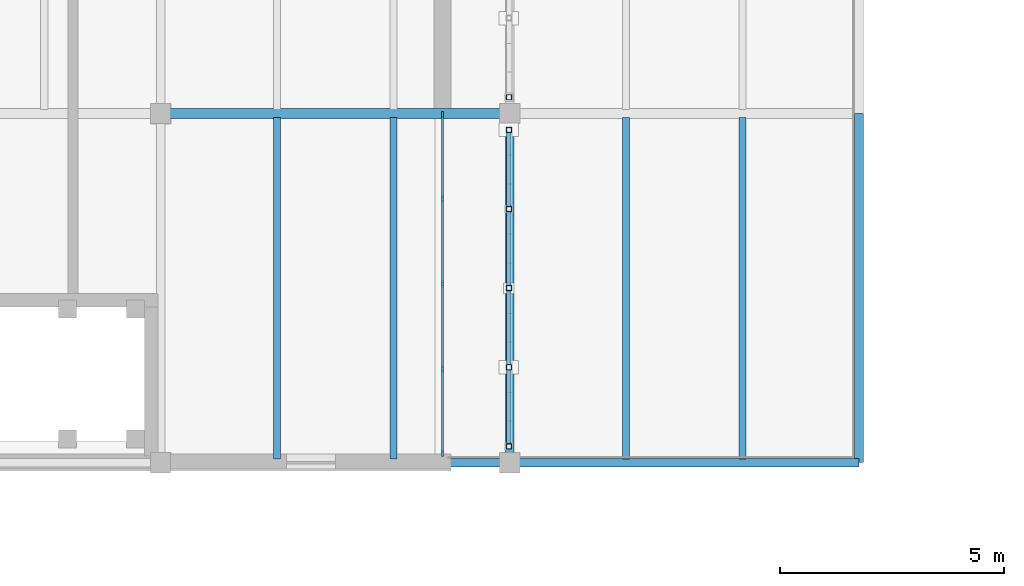
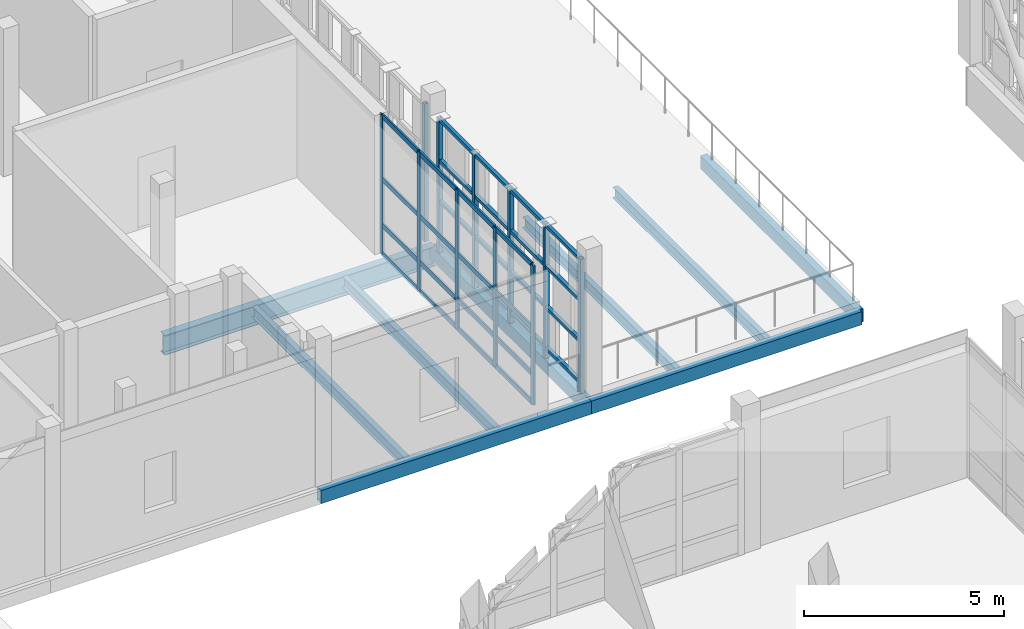
# One storey, part 30 of 119: 43 members, 9 beams, 1 element without a shape of its own.
"""IFC4 building model written with IfcOpenShell, lengths in metres."""

from ifc_helpers import new_model, si_unit, direction, frame, origin, origin_2d, place, context, subcontext, project, spatial, rectangle, hollow_rectangle, i_section, extrude, material, layer, layer_set, material_profile, profile_set, type_object, element, aggregate, save


model = new_model("IFC4")

# Units and contexts
model_context = context("Model", 3, precision=1e-05, world=origin(), true_north=direction((0.0, 1.0)))
body_context = subcontext(model_context, "Body", "Model", "MODEL_VIEW")
ifc_project = project(units=[si_unit("LENGTHUNIT", "METRE"), si_unit("AREAUNIT", "SQUARE_METRE"), si_unit("VOLUMEUNIT", "CUBIC_METRE"), si_unit("PLANEANGLEUNIT", "RADIAN"), si_unit("MASSUNIT", "GRAM", prefix="KILO")], contexts=[model_context])

# Site, building, storey
site_placement = place(None, origin())
site = spatial("IfcSite", under=ifc_project, at=site_placement, CompositionType="ELEMENT")
building_placement = place(site_placement, origin())
building = spatial("IfcBuilding", under=site, at=building_placement, Name="Celorna Specialist Clinic", CompositionType="ELEMENT")
storey_placement = place(building_placement, frame((0.0, 0.0, 9.60009765625)))
storey = spatial("IfcBuildingStorey", under=building, at=storey_placement, Name="L02", CompositionType="ELEMENT", Elevation=9.60009765625)

# Beams
ifc_material_1 = material(Name="Steel S355", Category="steel")
ifc_material_profile_1 = material_profile(ifc_material_1, i_section(OverallWidth=0.219970703125, OverallDepth=0.60009765625, WebThickness=0.011962890625, FlangeThickness=0.01904296875, at=origin_2d()), Name="IPE 600")
ifc_profile_set_1 = profile_set([ifc_material_profile_1], Name="Steel S355")
beam_type_1 = type_object("IfcBeamType", Name="BM-06", PredefinedType="BEAM", material=ifc_profile_set_1)
beam_1_placement = place(storey_placement, frame((31.199951171875, 42.89990234375, -0.56005859375), z_axis=(1.0, 0.0, 0.0), x_axis=(0.0, 1.0, 0.0)))
element("IfcBeam", 1, at=beam_1_placement, inside=storey, type_object=beam_type_1, Name="Primary girder BM-06 #463", PredefinedType="BEAM", context=body_context, shape_type="SweptSolid", body=[
    extrude(i_section(OverallWidth=0.219970703125, OverallDepth=0.60009765625, WebThickness=0.011962890625, FlangeThickness=0.01904296875, at=origin_2d()), origin(), (0.0, 0.0, 1.0), 7.800048828125),
])
ifc_material_profile_2 = material_profile(ifc_material_1, i_section(OverallWidth=0.159912109375, OverallDepth=0.330078125, WebThickness=0.007568359375, FlangeThickness=0.011474609375, at=origin_2d()), Name="IPE 330")
ifc_profile_set_2 = profile_set([ifc_material_profile_2], Name="Steel S355")
beam_type_2 = type_object("IfcBeamType", Name="BM-12", PredefinedType="JOIST", material=ifc_profile_set_2)
for number, where, z_axis, x_axis, name in (
    (2, (33.800048828125, 35.18798828125, -0.425048828125), (0.0, 1.0, 0.0), (-1.0, 0.0, 0.0), "Secondary floor joist BM-12 #526"),
    (3, (36.39990234375, 35.18798828125, -0.425048828125), (0.0, 1.0, 0.0), (-1.0, 0.0, 0.0), "Secondary floor joist BM-12 #527"),
    (4, (41.60009765625, 35.18798828125, -0.425048828125), (0.0, 1.0, 0.0), (-1.0, 0.0, 0.0), "Secondary floor joist BM-12 #2226"),
    (5, (44.199951171875, 35.18798828125, -0.425048828125), (0.0, 1.0, 0.0), (-1.0, 0.0, 0.0), "Secondary floor joist BM-12 #2227"),
):
    element("IfcBeam", number, at=place(storey_placement, frame(where, z_axis=z_axis, x_axis=x_axis)), inside=storey, type_object=beam_type_2, Name=name, PredefinedType="JOIST", context=body_context, shape_type="SweptSolid", body=[
        extrude(i_section(OverallWidth=0.159912109375, OverallDepth=0.330078125, WebThickness=0.007568359375, FlangeThickness=0.011474609375, at=origin_2d()), origin(), (0.0, 0.0, 1.0), 7.6240234375),
    ])
ifc_material_profile_3 = material_profile(ifc_material_1, hollow_rectangle(XDim=0.199951171875, YDim=0.39990234375, WallThickness=0.011962890625, at=origin_2d()), Name="RHS 200x400x12")
ifc_profile_set_3 = profile_set([ifc_material_profile_3], Name="Steel S355")
beam_type_3 = type_object("IfcBeamType", Name="BM-15", PredefinedType="SPANDREL", material=ifc_profile_set_3)
beam_2_placement = place(storey_placement, frame((31.199951171875, 35.10009765625, -0.460205078125), z_axis=(1.0, 0.0, 0.0), x_axis=(0.0, 1.0, 0.0)))
element("IfcBeam", 6, at=beam_2_placement, inside=storey, type_object=beam_type_3, Name="Spandrel beam BM-15 #458", PredefinedType="SPANDREL", context=body_context, shape_type="SweptSolid", body=[
    extrude(hollow_rectangle(XDim=0.199951171875, YDim=0.39990234375, WallThickness=0.011962890625, at=origin_2d()), origin(), (0.0, 0.0, 1.0), 7.800048828125),
])
beam_3_placement = place(storey_placement, frame((39.0, 35.10009765625, -0.460205078125), z_axis=(0.0, 1.0, 0.0), x_axis=(-1.0, 0.0, 0.0)))
element("IfcBeam", 7, at=beam_3_placement, inside=storey, type_object=beam_type_3, Name="Spandrel beam BM-15 #498", PredefinedType="SPANDREL", context=body_context, shape_type="SweptSolid", body=[
    extrude(hollow_rectangle(XDim=0.199951171875, YDim=0.39990234375, WallThickness=0.011962890625, at=origin_2d()), origin(), (0.0, 0.0, 1.0), 7.7998046875),
])
beam_4_placement = place(storey_placement, frame((39.0, 35.10009765625, -0.460205078125), z_axis=(1.0, 0.0, 0.0), x_axis=(0.0, 1.0, 0.0)))
element("IfcBeam", 8, at=beam_4_placement, inside=storey, type_object=beam_type_3, Name="Spandrel beam BM-15 #2217", PredefinedType="SPANDREL", context=body_context, shape_type="SweptSolid", body=[
    extrude(hollow_rectangle(XDim=0.199951171875, YDim=0.39990234375, WallThickness=0.011962890625, at=origin_2d()), origin(), (0.0, 0.0, 1.0), 7.800048828125),
])
beam_5_placement = place(storey_placement, frame((46.800048828125, 35.10009765625, -0.460205078125), z_axis=(0.0, 1.0, 0.0), x_axis=(-1.0, 0.0, 0.0)))
element("IfcBeam", 9, at=beam_5_placement, inside=storey, type_object=beam_type_3, Name="Spandrel beam BM-15 #2222", PredefinedType="SPANDREL", context=body_context, shape_type="SweptSolid", body=[
    extrude(hollow_rectangle(XDim=0.199951171875, YDim=0.39990234375, WallThickness=0.011962890625, at=origin_2d()), origin(), (0.0, 0.0, 1.0), 7.7998046875),
])

# Members
ifc_material_profile_4 = material_profile(ifc_material_1, hollow_rectangle(XDim=0.1201171875, YDim=0.1201171875, WallThickness=0.008056640625, at=origin_2d()), Name="SHS 120x120x8")
ifc_profile_set_4 = profile_set([ifc_material_profile_4], Name="Steel S355")
member_type_1 = type_object("IfcMemberType", Name="MB-11", PredefinedType="STUD", material=ifc_profile_set_4)
for number, where, z_axis, x_axis, name in (
    (10, (38.97998046875, 35.465087890625, -0.360107421875), (0.0, 0.0, 1.0), (1.0, 0.0, 0.0), "Perforated screen steel post #1539"),
    (11, (38.97998046875, 37.232421875, -0.360107421875), (0.0, 0.0, 1.0), (1.0, 0.0, 0.0), "Perforated screen steel post #1540"),
    (12, (38.97998046875, 39.0, -0.360107421875), (0.0, 0.0, 1.0), (1.0, 0.0, 0.0), "Perforated screen steel post #1541"),
    (13, (38.97998046875, 40.767578125, -0.360107421875), (0.0, 0.0, 1.0), (1.0, 0.0, 0.0), "Perforated screen steel post #1542"),
    (14, (38.97998046875, 42.534912109375, -0.360107421875), (0.0, 0.0, 1.0), (1.0, 0.0, 0.0), "Perforated screen steel post #1543"),
    (15, (38.97998046875, 43.264892578125, -0.360107421875), (0.0, 0.0, 1.0), (1.0, 0.0, 0.0), "Perforated screen steel post #1560"),
):
    element("IfcMember", number, at=place(storey_placement, frame(where, z_axis=z_axis, x_axis=x_axis)), inside=storey, type_object=member_type_1, Name=name, PredefinedType="STUD", context=body_context, shape_type="SweptSolid", body=[
        extrude(hollow_rectangle(XDim=0.1201171875, YDim=0.1201171875, WallThickness=0.008056640625, at=origin_2d()), origin(), (0.0, 0.0, 1.0), 4.199951171875),
    ])
ifc_material_profile_5 = material_profile(ifc_material_1, hollow_rectangle(XDim=0.10009765625, YDim=0.10009765625, WallThickness=0.006103515625, at=origin_2d()), Name="SHS 100x100x6")
ifc_profile_set_5 = profile_set([ifc_material_profile_5], Name="Steel S355")
member_type_2 = type_object("IfcMemberType", Name="MB-12", PredefinedType="STUD", material=ifc_profile_set_5)
for number, where, z_axis, x_axis, name in (
    (16, (38.97998046875, 35.52490234375, 0.0498046875), (0.0, 1.0, 0.0), (-1.0, 0.0, 0.0), "Perforated screen rail #1544"),
    (17, (38.97998046875, 35.52490234375, 1.296630859375), (0.0, 1.0, 0.0), (-1.0, 0.0, 0.0), "Perforated screen rail #1545"),
    (18, (38.97998046875, 35.52490234375, 2.543212890625), (0.0, 1.0, 0.0), (-1.0, 0.0, 0.0), "Perforated screen rail #1546"),
    (19, (38.97998046875, 35.52490234375, 3.789794921875), (0.0, 1.0, 0.0), (-1.0, 0.0, 0.0), "Perforated screen rail #1547"),
):
    element("IfcMember", number, at=place(storey_placement, frame(where, z_axis=z_axis, x_axis=x_axis)), inside=storey, type_object=member_type_2, Name=name, PredefinedType="STUD", context=body_context, shape_type="SweptSolid", body=[
        extrude(hollow_rectangle(XDim=0.10009765625, YDim=0.10009765625, WallThickness=0.006103515625, at=origin_2d()), origin(), (0.0, 0.0, 1.0), 1.647705078125),
    ])
for number, where, z_axis, x_axis, name in (
    (20, (38.97998046875, 37.29248046875, 0.0498046875), (0.0, 1.0, 0.0), (-1.0, 0.0, 0.0), "Perforated screen rail #1548"),
    (21, (38.97998046875, 37.29248046875, 1.296630859375), (0.0, 1.0, 0.0), (-1.0, 0.0, 0.0), "Perforated screen rail #1549"),
    (22, (38.97998046875, 37.29248046875, 2.543212890625), (0.0, 1.0, 0.0), (-1.0, 0.0, 0.0), "Perforated screen rail #1550"),
    (23, (38.97998046875, 37.29248046875, 3.789794921875), (0.0, 1.0, 0.0), (-1.0, 0.0, 0.0), "Perforated screen rail #1551"),
    (24, (38.97998046875, 39.06005859375, 0.0498046875), (0.0, 1.0, 0.0), (-1.0, 0.0, 0.0), "Perforated screen rail #1552"),
    (25, (38.97998046875, 39.06005859375, 1.296630859375), (0.0, 1.0, 0.0), (-1.0, 0.0, 0.0), "Perforated screen rail #1553"),
    (26, (38.97998046875, 39.06005859375, 2.543212890625), (0.0, 1.0, 0.0), (-1.0, 0.0, 0.0), "Perforated screen rail #1554"),
    (27, (38.97998046875, 39.06005859375, 3.789794921875), (0.0, 1.0, 0.0), (-1.0, 0.0, 0.0), "Perforated screen rail #1555"),
):
    element("IfcMember", number, at=place(storey_placement, frame(where, z_axis=z_axis, x_axis=x_axis)), inside=storey, type_object=member_type_2, Name=name, PredefinedType="STUD", context=body_context, shape_type="SweptSolid", body=[
        extrude(hollow_rectangle(XDim=0.10009765625, YDim=0.10009765625, WallThickness=0.006103515625, at=origin_2d()), origin(), (0.0, 0.0, 1.0), 1.6474609375),
    ])
for number, where, z_axis, x_axis, name in (
    (28, (38.97998046875, 40.827392578125, 0.0498046875), (0.0, 1.0, 0.0), (-1.0, 0.0, 0.0), "Perforated screen rail #1556"),
    (29, (38.97998046875, 40.827392578125, 1.296630859375), (0.0, 1.0, 0.0), (-1.0, 0.0, 0.0), "Perforated screen rail #1557"),
    (30, (38.97998046875, 40.827392578125, 2.543212890625), (0.0, 1.0, 0.0), (-1.0, 0.0, 0.0), "Perforated screen rail #1558"),
    (31, (38.97998046875, 40.827392578125, 3.789794921875), (0.0, 1.0, 0.0), (-1.0, 0.0, 0.0), "Perforated screen rail #1559"),
):
    element("IfcMember", number, at=place(storey_placement, frame(where, z_axis=z_axis, x_axis=x_axis)), inside=storey, type_object=member_type_2, Name=name, PredefinedType="STUD", context=body_context, shape_type="SweptSolid", body=[
        extrude(hollow_rectangle(XDim=0.10009765625, YDim=0.10009765625, WallThickness=0.006103515625, at=origin_2d()), origin(), (0.0, 0.0, 1.0), 1.647705078125),
    ])

# Curtain wall, members
ifc_material_2 = material(Name="Thermally broken aluminium and solar-control glass curtain wall", Category="aluminium")
ifc_layer = layer(ifc_material_2, 0.159912109375, Name="Thermally broken aluminium and solar-control glass curtain wall")
ifc_layer_set = layer_set([ifc_layer], Name="Thermally broken aluminium and solar-control glass curtain wall")
curtain_wall_type = type_object("IfcCurtainWallType", Name="CW-31", PredefinedType="NOTDEFINED", material=ifc_layer_set)
curtain_wall_placement = place(storey_placement, origin())
curtain_wall = element("IfcCurtainWall", 32, at=curtain_wall_placement, inside=storey, type_object=curtain_wall_type, Name="Curtain wall CW-31 #61", PredefinedType="NOTDEFINED")
ifc_material_3 = material(Name="Anodized aluminium mullion", Category="aluminium")
ifc_material_profile_6 = material_profile(ifc_material_3, rectangle(XDim=0.050048828125, YDim=0.159912109375, at=origin_2d()), Name="ALU MULLION 50x160")
ifc_profile_set_6 = profile_set([ifc_material_profile_6], Name="Anodized aluminium mullion")
member_type_3 = type_object("IfcMemberType", Name="ML-01", PredefinedType="MULLION", material=ifc_profile_set_6)
member_1_placement = place(storey_placement, frame((37.5, 42.87109375, 0.0), z_axis=(0.0, 0.0, 1.0), x_axis=(1.0, 0.0, 0.0)))
member_1 = element("IfcMember", 33, at=member_1_placement, type_object=member_type_3, Name="CW-31 mullion 1", PredefinedType="MULLION", context=body_context, shape_type="SweptSolid", body=[
    extrude(rectangle(XDim=0.050048828125, YDim=0.159912109375, at=origin_2d()), origin(), (0.0, 0.0, 1.0), 4.239990234375),
])
member_2_placement = place(storey_placement, frame((37.5, 40.99560546875, 0.0), z_axis=(0.0, 0.0, 1.0), x_axis=(1.0, 0.0, 0.0)))
member_2 = element("IfcMember", 34, at=member_2_placement, type_object=member_type_3, Name="CW-31 mullion 2", PredefinedType="MULLION", context=body_context, shape_type="SweptSolid", body=[
    extrude(rectangle(XDim=0.050048828125, YDim=0.159912109375, at=origin_2d()), origin(), (0.0, 0.0, 1.0), 4.239990234375),
])
member_3_placement = place(storey_placement, frame((37.5, 39.094970703125, 0.0), z_axis=(0.0, 0.0, 1.0), x_axis=(1.0, 0.0, 0.0)))
member_3 = element("IfcMember", 35, at=member_3_placement, type_object=member_type_3, Name="CW-31 mullion 3", PredefinedType="MULLION", context=body_context, shape_type="SweptSolid", body=[
    extrude(rectangle(XDim=0.050048828125, YDim=0.159912109375, at=origin_2d()), origin(), (0.0, 0.0, 1.0), 4.239990234375),
])
member_4_placement = place(storey_placement, frame((37.5, 37.194580078125, 0.0), z_axis=(0.0, 0.0, 1.0), x_axis=(1.0, 0.0, 0.0)))
member_4 = element("IfcMember", 36, at=member_4_placement, type_object=member_type_3, Name="CW-31 mullion 4", PredefinedType="MULLION", context=body_context, shape_type="SweptSolid", body=[
    extrude(rectangle(XDim=0.050048828125, YDim=0.159912109375, at=origin_2d()), origin(), (0.0, 0.0, 1.0), 4.239990234375),
])
member_5_placement = place(storey_placement, frame((37.5, 35.319091796875, 0.0), z_axis=(0.0, 0.0, 1.0), x_axis=(1.0, 0.0, 0.0)))
member_5 = element("IfcMember", 37, at=member_5_placement, type_object=member_type_3, Name="CW-31 mullion 5", PredefinedType="MULLION", context=body_context, shape_type="SweptSolid", body=[
    extrude(rectangle(XDim=0.050048828125, YDim=0.159912109375, at=origin_2d()), origin(), (0.0, 0.0, 1.0), 4.239990234375),
])
ifc_material_4 = material(Name="Anodized aluminium transom", Category="aluminium")
ifc_material_profile_7 = material_profile(ifc_material_4, rectangle(XDim=0.050048828125, YDim=0.14990234375, at=origin_2d()), Name="ALU TRANSOM 50x150")
ifc_profile_set_7 = profile_set([ifc_material_profile_7], Name="Anodized aluminium transom")
member_type_4 = type_object("IfcMemberType", Name="TR-02", PredefinedType="USERDEFINED", material=ifc_profile_set_7)
member_6_placement = place(storey_placement, frame((37.5, 42.845947265625, 0.02490234375), z_axis=(0.0, -1.0, 0.0), x_axis=(1.0, 0.0, 0.0)))
member_6 = element("IfcMember", 38, at=member_6_placement, type_object=member_type_4, Name="CW-31 transom 1.1", ObjectType="TRANSOM", PredefinedType="USERDEFINED", context=body_context, shape_type="SweptSolid", body=[
    extrude(rectangle(XDim=0.050048828125, YDim=0.14990234375, at=origin_2d()), origin(), (0.0, 0.0, 1.0), 1.825439453125),
])
member_7_placement = place(storey_placement, frame((37.5, 42.845947265625, 0.89990234375), z_axis=(0.0, -1.0, 0.0), x_axis=(1.0, 0.0, 0.0)))
member_7 = element("IfcMember", 39, at=member_7_placement, type_object=member_type_4, Name="CW-31 transom 1.2", ObjectType="TRANSOM", PredefinedType="USERDEFINED", context=body_context, shape_type="SweptSolid", body=[
    extrude(rectangle(XDim=0.050048828125, YDim=0.14990234375, at=origin_2d()), origin(), (0.0, 0.0, 1.0), 1.825439453125),
])
member_8_placement = place(storey_placement, frame((37.5, 42.845947265625, 2.2998046875), z_axis=(0.0, -1.0, 0.0), x_axis=(1.0, 0.0, 0.0)))
member_8 = element("IfcMember", 40, at=member_8_placement, type_object=member_type_4, Name="CW-31 transom 1.3", ObjectType="TRANSOM", PredefinedType="USERDEFINED", context=body_context, shape_type="SweptSolid", body=[
    extrude(rectangle(XDim=0.050048828125, YDim=0.14990234375, at=origin_2d()), origin(), (0.0, 0.0, 1.0), 1.825439453125),
])
member_9_placement = place(storey_placement, frame((37.5, 42.845947265625, 4.21484375), z_axis=(0.0, -1.0, 0.0), x_axis=(1.0, 0.0, 0.0)))
member_9 = element("IfcMember", 41, at=member_9_placement, type_object=member_type_4, Name="CW-31 transom 1.4", ObjectType="TRANSOM", PredefinedType="USERDEFINED", context=body_context, shape_type="SweptSolid", body=[
    extrude(rectangle(XDim=0.050048828125, YDim=0.14990234375, at=origin_2d()), origin(), (0.0, 0.0, 1.0), 1.825439453125),
])
member_10_placement = place(storey_placement, frame((37.5, 40.970458984375, 0.02490234375), z_axis=(0.0, -1.0, 0.0), x_axis=(1.0, 0.0, 0.0)))
member_10 = element("IfcMember", 42, at=member_10_placement, type_object=member_type_4, Name="CW-31 transom 2.1", ObjectType="TRANSOM", PredefinedType="USERDEFINED", context=body_context, shape_type="SweptSolid", body=[
    extrude(rectangle(XDim=0.050048828125, YDim=0.14990234375, at=origin_2d()), origin(), (0.0, 0.0, 1.0), 1.850341796875),
])
member_11_placement = place(storey_placement, frame((37.5, 40.970458984375, 0.89990234375), z_axis=(0.0, -1.0, 0.0), x_axis=(1.0, 0.0, 0.0)))
member_11 = element("IfcMember", 43, at=member_11_placement, type_object=member_type_4, Name="CW-31 transom 2.2", ObjectType="TRANSOM", PredefinedType="USERDEFINED", context=body_context, shape_type="SweptSolid", body=[
    extrude(rectangle(XDim=0.050048828125, YDim=0.14990234375, at=origin_2d()), origin(), (0.0, 0.0, 1.0), 1.850341796875),
])
member_12_placement = place(storey_placement, frame((37.5, 40.970458984375, 2.2998046875), z_axis=(0.0, -1.0, 0.0), x_axis=(1.0, 0.0, 0.0)))
member_12 = element("IfcMember", 44, at=member_12_placement, type_object=member_type_4, Name="CW-31 transom 2.3", ObjectType="TRANSOM", PredefinedType="USERDEFINED", context=body_context, shape_type="SweptSolid", body=[
    extrude(rectangle(XDim=0.050048828125, YDim=0.14990234375, at=origin_2d()), origin(), (0.0, 0.0, 1.0), 1.850341796875),
])
member_13_placement = place(storey_placement, frame((37.5, 40.970458984375, 4.21484375), z_axis=(0.0, -1.0, 0.0), x_axis=(1.0, 0.0, 0.0)))
member_13 = element("IfcMember", 45, at=member_13_placement, type_object=member_type_4, Name="CW-31 transom 2.4", ObjectType="TRANSOM", PredefinedType="USERDEFINED", context=body_context, shape_type="SweptSolid", body=[
    extrude(rectangle(XDim=0.050048828125, YDim=0.14990234375, at=origin_2d()), origin(), (0.0, 0.0, 1.0), 1.850341796875),
])
member_14_placement = place(storey_placement, frame((37.5, 39.070068359375, 0.02490234375), z_axis=(0.0, -1.0, 0.0), x_axis=(1.0, 0.0, 0.0)))
member_14 = element("IfcMember", 46, at=member_14_placement, type_object=member_type_4, Name="CW-31 transom 3.1", ObjectType="TRANSOM", PredefinedType="USERDEFINED", context=body_context, shape_type="SweptSolid", body=[
    extrude(rectangle(XDim=0.050048828125, YDim=0.14990234375, at=origin_2d()), origin(), (0.0, 0.0, 1.0), 1.8505859375),
])
member_15_placement = place(storey_placement, frame((37.5, 39.070068359375, 0.89990234375), z_axis=(0.0, -1.0, 0.0), x_axis=(1.0, 0.0, 0.0)))
member_15 = element("IfcMember", 47, at=member_15_placement, type_object=member_type_4, Name="CW-31 transom 3.2", ObjectType="TRANSOM", PredefinedType="USERDEFINED", context=body_context, shape_type="SweptSolid", body=[
    extrude(rectangle(XDim=0.050048828125, YDim=0.14990234375, at=origin_2d()), origin(), (0.0, 0.0, 1.0), 1.8505859375),
])
member_16_placement = place(storey_placement, frame((37.5, 39.070068359375, 2.2998046875), z_axis=(0.0, -1.0, 0.0), x_axis=(1.0, 0.0, 0.0)))
member_16 = element("IfcMember", 48, at=member_16_placement, type_object=member_type_4, Name="CW-31 transom 3.3", ObjectType="TRANSOM", PredefinedType="USERDEFINED", context=body_context, shape_type="SweptSolid", body=[
    extrude(rectangle(XDim=0.050048828125, YDim=0.14990234375, at=origin_2d()), origin(), (0.0, 0.0, 1.0), 1.8505859375),
])
member_17_placement = place(storey_placement, frame((37.5, 39.070068359375, 4.21484375), z_axis=(0.0, -1.0, 0.0), x_axis=(1.0, 0.0, 0.0)))
member_17 = element("IfcMember", 49, at=member_17_placement, type_object=member_type_4, Name="CW-31 transom 3.4", ObjectType="TRANSOM", PredefinedType="USERDEFINED", context=body_context, shape_type="SweptSolid", body=[
    extrude(rectangle(XDim=0.050048828125, YDim=0.14990234375, at=origin_2d()), origin(), (0.0, 0.0, 1.0), 1.8505859375),
])
member_18_placement = place(storey_placement, frame((37.5, 37.16943359375, 0.02490234375), z_axis=(0.0, -1.0, 0.0), x_axis=(1.0, 0.0, 0.0)))
member_18 = element("IfcMember", 50, at=member_18_placement, type_object=member_type_4, Name="CW-31 transom 4.1", ObjectType="TRANSOM", PredefinedType="USERDEFINED", context=body_context, shape_type="SweptSolid", body=[
    extrude(rectangle(XDim=0.050048828125, YDim=0.14990234375, at=origin_2d()), origin(), (0.0, 0.0, 1.0), 1.825439453125),
])
member_19_placement = place(storey_placement, frame((37.5, 37.16943359375, 0.89990234375), z_axis=(0.0, -1.0, 0.0), x_axis=(1.0, 0.0, 0.0)))
member_19 = element("IfcMember", 51, at=member_19_placement, type_object=member_type_4, Name="CW-31 transom 4.2", ObjectType="TRANSOM", PredefinedType="USERDEFINED", context=body_context, shape_type="SweptSolid", body=[
    extrude(rectangle(XDim=0.050048828125, YDim=0.14990234375, at=origin_2d()), origin(), (0.0, 0.0, 1.0), 1.825439453125),
])
member_20_placement = place(storey_placement, frame((37.5, 37.16943359375, 2.2998046875), z_axis=(0.0, -1.0, 0.0), x_axis=(1.0, 0.0, 0.0)))
member_20 = element("IfcMember", 52, at=member_20_placement, type_object=member_type_4, Name="CW-31 transom 4.3", ObjectType="TRANSOM", PredefinedType="USERDEFINED", context=body_context, shape_type="SweptSolid", body=[
    extrude(rectangle(XDim=0.050048828125, YDim=0.14990234375, at=origin_2d()), origin(), (0.0, 0.0, 1.0), 1.825439453125),
])
member_21_placement = place(storey_placement, frame((37.5, 37.16943359375, 4.21484375), z_axis=(0.0, -1.0, 0.0), x_axis=(1.0, 0.0, 0.0)))
member_21 = element("IfcMember", 53, at=member_21_placement, type_object=member_type_4, Name="CW-31 transom 4.4", ObjectType="TRANSOM", PredefinedType="USERDEFINED", context=body_context, shape_type="SweptSolid", body=[
    extrude(rectangle(XDim=0.050048828125, YDim=0.14990234375, at=origin_2d()), origin(), (0.0, 0.0, 1.0), 1.825439453125),
])
aggregate(curtain_wall, [member_1, member_2, member_3, member_4, member_5, member_6, member_7, member_8, member_9, member_10, member_11, member_12, member_13, member_14, member_15, member_16, member_17, member_18, member_19, member_20, member_21])

save(model, "model.ifc")
